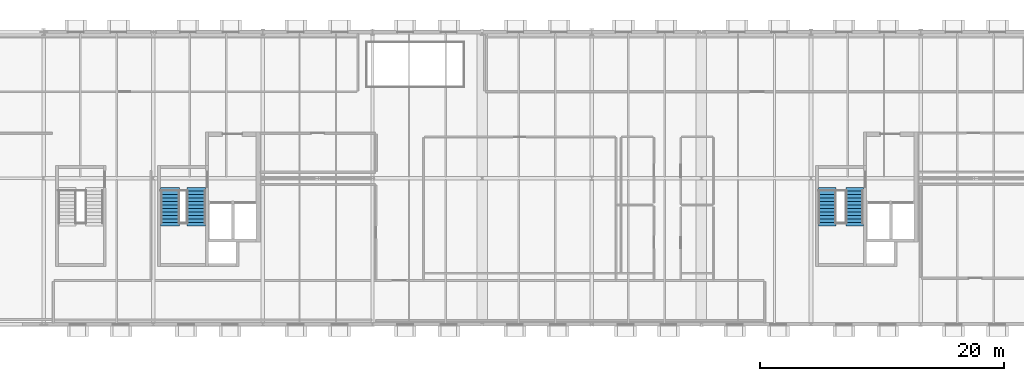
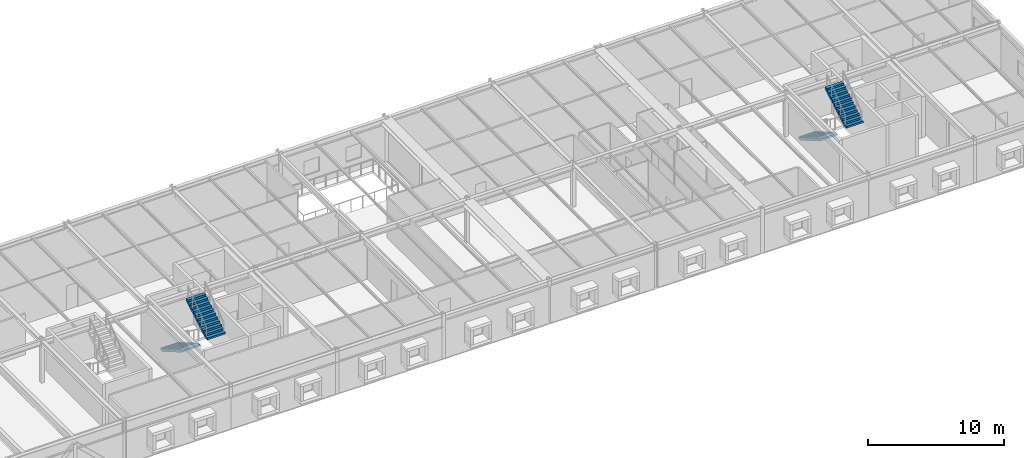
# One storey, part 15 of 17: 4 stair flights, 2 elements without a shape of their own.
"""IFC4 building model written with IfcOpenShell, lengths in metres."""

import ifcopenshell
import ifcopenshell.guid

model = None  # the IFC model being written
_history = None  # IfcOwnerHistory: only IFC2X3 demands one
_inside = {}  # id of a spatial element -> (the spatial element, [elements in it])
_under = {}  # id of a project, library or spatial element -> (it, [spatial elements below it])
_declared = {}  # id of a project -> (the project, [libraries it declares])
_typed = {}  # id of a type object -> (the type object, [elements of that type])
_made_of = {}  # id of a material, layer set ... -> (it, [elements and type objects made of it])


def new_model(schema):
    """Start an empty IFC model of exactly this schema.

    Asked for "IFC4X3", IfcOpenShell would pick the latest addendum, in which some entities
    have other attributes; the version numbers below select the first issue.
    IFC2X3 requires an IfcOwnerHistory on every rooted entity: one is made here for all.
    """
    global model, _history
    if schema == "IFC4X3":
        model = ifcopenshell.file(schema_version=(4, 3, 0, 0))
    else:
        model = ifcopenshell.file(schema=schema)
    _inside.clear()
    _under.clear()
    _declared.clear()
    _typed.clear()
    _made_of.clear()
    _history = None
    if model.schema == "IFC2X3":
        org = make("IfcOrganization", Name="unknown")
        user = make(
            "IfcPersonAndOrganization",
            ThePerson=make("IfcPerson", FamilyName="unknown"),
            TheOrganization=org,
        )
        app = make(
            "IfcApplication",
            ApplicationDeveloper=org,
            Version="unknown",
            ApplicationFullName="unknown",
            ApplicationIdentifier="unknown",
        )
        _history = make(
            "IfcOwnerHistory",
            OwningUser=user,
            OwningApplication=app,
            ChangeAction="ADDED",
            CreationDate=0,
        )
    return model


def make(cls, **values):
    """One entity of the class cls with the attributes given. An attribute that is None is left unset."""
    return model.create_entity(
        cls, **{name: value for name, value in values.items() if value is not None}
    )


def rooted(cls, **values):
    """An entity with a GlobalId (a new one), such as an element, a storey or a relation."""
    return make(cls, GlobalId=ifcopenshell.guid.new(), OwnerHistory=_history, **values)


def si_unit(unit_type, name, prefix=None):
    """IfcSIUnit, for example si_unit("LENGTHUNIT", "METRE", prefix="MILLI")."""
    return make("IfcSIUnit", UnitType=unit_type, Prefix=prefix, Name=name)


def assignment(units):
    """IfcUnitAssignment: the units of a project."""
    return None if units is None else make("IfcUnitAssignment", Units=units)


def point(xyz):
    """IfcCartesianPoint."""
    return None if xyz is None else make("IfcCartesianPoint", Coordinates=xyz)


def direction(xyz):
    """IfcDirection."""
    return None if xyz is None else make("IfcDirection", DirectionRatios=xyz)


def frame(location, z_axis=None, x_axis=None):
    """IfcAxis2Placement3D, a coordinate frame: its origin and axes. An axis left out is left unset."""
    return make(
        "IfcAxis2Placement3D",
        Location=point(location),
        Axis=direction(z_axis),
        RefDirection=direction(x_axis),
    )


def origin():
    """The frame at (0, 0, 0) with its axes left unset."""
    return frame((0.0, 0.0, 0.0))


def place(relative_to, where):
    """IfcLocalPlacement: puts the frame where relative to a parent placement (None: the world)."""
    return make(
        "IfcLocalPlacement", PlacementRelTo=relative_to, RelativePlacement=where
    )


def context(
    kind, dimensions, precision=None, world=None, true_north=None, identifier=None
):
    """IfcGeometricRepresentationContext, for example the 3D "Model" context."""
    return make(
        "IfcGeometricRepresentationContext",
        ContextIdentifier=identifier,
        ContextType=kind,
        CoordinateSpaceDimension=dimensions,
        Precision=precision,
        WorldCoordinateSystem=world,
        TrueNorth=true_north,
    )


def subcontext(parent, identifier, kind, view, scale=None):
    """IfcGeometricRepresentationSubContext, for example "Body" below "Model"."""
    return make(
        "IfcGeometricRepresentationSubContext",
        ContextIdentifier=identifier,
        ContextType=kind,
        ParentContext=parent,
        TargetScale=scale,
        TargetView=view,
    )


def project(units=None, contexts=None):
    """IfcProject with its units and contexts."""
    return rooted(
        "IfcProject",
        Name="project",
        RepresentationContexts=contexts,
        UnitsInContext=assignment(units),
    )


def spatial(cls, under=None, at=None, **own):
    """A site, building, storey or space (cls), placed at a placement, below another one or the project."""
    s = rooted(cls, ObjectPlacement=at, **own)
    if under is not None:
        _under.setdefault(under.id(), (under, []))[1].append(s)
    return s


def polyline(points):
    """IfcPolyline through the points."""
    return make("IfcPolyline", Points=[point(p) for p in points])


def outline(outer, holes=None, kind="AREA"):
    """IfcArbitraryClosedProfileDef: a profile drawn as a closed curve; with holes, ...WithVoids."""
    if holes is None:
        return make("IfcArbitraryClosedProfileDef", ProfileType=kind, OuterCurve=outer)
    return make(
        "IfcArbitraryProfileDefWithVoids",
        ProfileType=kind,
        OuterCurve=outer,
        InnerCurves=holes,
    )


def extrude(swept, where, along, depth):
    """IfcExtrudedAreaSolid: the profile swept, set in the frame where, extruded along a direction by depth."""
    return make(
        "IfcExtrudedAreaSolid",
        SweptArea=swept,
        Position=where,
        ExtrudedDirection=direction(along),
        Depth=depth,
    )


def shape(context_of_items, identifier, shape_type, items):
    """IfcShapeRepresentation: the items that make up one representation, for example the "Body"."""
    return make(
        "IfcShapeRepresentation",
        ContextOfItems=context_of_items,
        RepresentationIdentifier=identifier,
        RepresentationType=shape_type,
        Items=items,
    )


def material(Name=None, Category=None):
    """IfcMaterial."""
    return make("IfcMaterial", Name=Name, Category=Category)


def made_of(thing, what):
    """Note that an element or type object is made of a material, layer set ...; save() writes the relation."""
    if what is not None:
        _made_of.setdefault(what.id(), (what, []))[1].append(thing)
    return thing


def type_object(cls, material=None, **own):
    """A type object (cls), such as IfcWallType, which elements share."""
    return made_of(rooted(cls, **own), material)


def element(
    cls,
    number,
    at=None,
    inside=None,
    cuts=None,
    type_object=None,
    material=None,
    context=None,
    identifier="Body",
    shape_type=None,
    held_by="IfcProductDefinitionShape",
    body=None,
    shapes=None,
    **own,
):
    """One element of the class cls, such as IfcWall. Its Tag is "e" and its number.

    at: its placement. inside: the storey or other place that contains it. cuts: it is an
    opening in that element (IfcRelVoidsElement). A single representation is given by context,
    identifier, shape_type and body (its items); several are given by shapes. held_by: the class
    of the entity that holds the representations. save() writes the other relations.
    """
    e = rooted(cls, Tag="e%d" % number, ObjectPlacement=at, **own)
    if body is not None:
        shapes = [shape(context, identifier, shape_type, body)]
    if shapes is not None:
        e.Representation = make(held_by, Representations=shapes)
    if inside is not None:
        _inside.setdefault(inside.id(), (inside, []))[1].append(e)
    if cuts is not None:
        rooted(
            "IfcRelVoidsElement", RelatingBuildingElement=cuts, RelatedOpeningElement=e
        )
    if type_object is not None:
        _typed.setdefault(type_object.id(), (type_object, []))[1].append(e)
    return made_of(e, material)


def aggregate(whole, parts):
    """IfcRelAggregates: a whole, such as a stair, and the parts it consists of."""
    return rooted("IfcRelAggregates", RelatingObject=whole, RelatedObjects=parts)


def save(model, path):
    """Write the relations noted so far, then the file.

    IfcRelAggregates (storeys below a building ...), IfcRelContainedInSpatialStructure (elements
    in a storey), IfcRelDefinesByType, IfcRelAssociatesMaterial and IfcRelDeclares: one each for
    every whole, place, type object, material and project.
    """
    for whole, parts in _under.values():
        aggregate(whole, parts)
    for where, things in _inside.values():
        rooted(
            "IfcRelContainedInSpatialStructure",
            RelatedElements=things,
            RelatingStructure=where,
        )
    for kind, things in _typed.values():
        rooted("IfcRelDefinesByType", RelatedObjects=things, RelatingType=kind)
    for what, things in _made_of.values():
        rooted("IfcRelAssociatesMaterial", RelatedObjects=things, RelatingMaterial=what)
    for by, libraries in _declared.values():
        rooted("IfcRelDeclares", RelatingContext=by, RelatedDefinitions=libraries)
    model.write(path)


model = new_model("IFC4")

# Units and contexts
model_context = context("Model", 3, precision=1e-05, world=origin(), true_north=direction((0.0, 1.0)))
body_context = subcontext(model_context, "Body", "Model", "MODEL_VIEW")
ifc_project = project(units=[si_unit("LENGTHUNIT", "METRE"), si_unit("AREAUNIT", "SQUARE_METRE"), si_unit("VOLUMEUNIT", "CUBIC_METRE"), si_unit("PLANEANGLEUNIT", "RADIAN"), si_unit("MASSUNIT", "GRAM", prefix="KILO")], contexts=[model_context])

# Site, building, storey
site_placement = place(None, origin())
site = spatial("IfcSite", under=ifc_project, at=site_placement, CompositionType="ELEMENT")
building_placement = place(site_placement, origin())
building = spatial("IfcBuilding", under=site, at=building_placement, Name="Montelvaro Courts of Justice", CompositionType="ELEMENT")
storey_placement = place(building_placement, frame((0.0, 0.0, 31.39990234375)))
storey = spatial("IfcBuildingStorey", under=building, at=storey_placement, Name="L07", CompositionType="ELEMENT", Elevation=31.39990234375)

# Stair, stair flights
ifc_material = material(Name="Concrete C35/45", Category="concrete")
stair_type_1 = type_object("IfcStairType", Name="ProtectedStair_145", PredefinedType="HALF_TURN_STAIR", material=ifc_material)
stair_1_placement = place(storey_placement, origin())
stair_1 = element("IfcStair", 1, at=stair_1_placement, inside=storey, type_object=stair_type_1, Name="Protected Stair ST-K2-L07", PredefinedType="HALF_TURN_STAIR")
stair_flight_type_1 = type_object("IfcStairFlightType", Name="StairFlight_145", PredefinedType="STRAIGHT", material=ifc_material)
stair_flight_1_placement = place(storey_placement, frame((109.324951171875, 11.219970703125, 0.0), z_axis=(0.0, 0.0, 1.0), x_axis=(0.0, -1.0, 0.0)))
stair_flight_1 = element("IfcStairFlight", 2, at=stair_flight_1_placement, type_object=stair_flight_type_1, Name="ST-K2-L07 flight 1", NumberOfRisers=12, NumberOfTreads=11, PredefinedType="STRAIGHT", RiserHeight=0.166666667, TreadLength=0.285, context=body_context, shape_type="SweptSolid", body=[
    extrude(outline(polyline([(0.0, 0.0), (0.0, 0.166748046875), (0.284912109375, 0.166748046875), (0.284912109375, 0.333251953125), (0.570068359375, 0.333251953125), (0.570068359375, 0.5), (0.85498046875, 0.5), (0.85498046875, 0.666748046875), (1.139892578125, 0.666748046875), (1.139892578125, 0.833251953125), (1.425048828125, 0.833251953125), (1.425048828125, 1.0), (1.7099609375, 1.0), (1.7099609375, 1.166748046875), (1.9951171875, 1.166748046875), (1.9951171875, 1.333251953125), (2.280029296875, 1.333251953125), (2.280029296875, 1.5), (2.56494140625, 1.5), (2.56494140625, 1.666748046875), (2.85009765625, 1.666748046875), (2.85009765625, 1.833251953125), (3.135009765625, 1.833251953125), (3.135009765625, 2.0), (3.135009765625, 1.648193359375), (0.31689453125, 0.0), (0.0, 0.0)])), frame((0.0, 0.72509765625, 0.0), z_axis=(0.0, -1.0, 0.0), x_axis=(1.0, 0.0, 0.0)), (0.0, 0.0, 1.0), 1.449951171875),
])
stair_flight_2_placement = place(storey_placement, frame((111.574951171875, 8.0849609375, 2.0), z_axis=(0.0, 0.0, 1.0), x_axis=(0.0, 1.0, 0.0)))
stair_flight_2 = element("IfcStairFlight", 3, at=stair_flight_2_placement, type_object=stair_flight_type_1, Name="ST-K2-L07 flight 2", NumberOfRisers=12, NumberOfTreads=11, PredefinedType="STRAIGHT", RiserHeight=0.166666667, TreadLength=0.285, context=body_context, shape_type="SweptSolid", body=[
    extrude(outline(polyline([(0.0, 0.0), (0.0, 0.166748046875), (0.284912109375, 0.166748046875), (0.284912109375, 0.333251953125), (0.570068359375, 0.333251953125), (0.570068359375, 0.5), (0.85498046875, 0.5), (0.85498046875, 0.666748046875), (1.139892578125, 0.666748046875), (1.139892578125, 0.833251953125), (1.425048828125, 0.833251953125), (1.425048828125, 1.0), (1.7099609375, 1.0), (1.7099609375, 1.166748046875), (1.9951171875, 1.166748046875), (1.9951171875, 1.333251953125), (2.280029296875, 1.333251953125), (2.280029296875, 1.5), (2.56494140625, 1.5), (2.56494140625, 1.666748046875), (2.85009765625, 1.666748046875), (2.85009765625, 1.833251953125), (3.135009765625, 1.833251953125), (3.135009765625, 2.0), (3.135009765625, 1.648193359375), (0.31689453125, 0.0), (0.0, 0.0)])), frame((0.0, 0.72509765625, 0.0), z_axis=(0.0, -1.0, 0.0), x_axis=(1.0, 0.0, 0.0)), (0.0, 0.0, 1.0), 1.449951171875),
])
aggregate(stair_1, [stair_flight_1, stair_flight_2])

stair_type_2 = type_object("IfcStairType", Name="ProtectedStair_155", PredefinedType="HALF_TURN_STAIR", material=ifc_material)
stair_2_placement = place(storey_placement, origin())
stair_2 = element("IfcStair", 4, at=stair_2_placement, inside=storey, type_object=stair_type_2, Name="Protected Stair ST-K1-L07", PredefinedType="HALF_TURN_STAIR")
stair_flight_type_2 = type_object("IfcStairFlightType", Name="StairFlight_155", PredefinedType="STRAIGHT", material=ifc_material)
stair_flight_3_placement = place(storey_placement, frame((55.375, 11.219970703125, 0.0), z_axis=(0.0, 0.0, 1.0), x_axis=(0.0, -1.0, 0.0)))
stair_flight_3 = element("IfcStairFlight", 5, at=stair_flight_3_placement, type_object=stair_flight_type_2, Name="ST-K1-L07 flight 1", NumberOfRisers=12, NumberOfTreads=11, PredefinedType="STRAIGHT", RiserHeight=0.166666667, TreadLength=0.285, context=body_context, shape_type="SweptSolid", body=[
    extrude(outline(polyline([(0.0, 0.0), (0.0, 0.166748046875), (0.284912109375, 0.166748046875), (0.284912109375, 0.333251953125), (0.570068359375, 0.333251953125), (0.570068359375, 0.5), (0.85498046875, 0.5), (0.85498046875, 0.666748046875), (1.139892578125, 0.666748046875), (1.139892578125, 0.833251953125), (1.425048828125, 0.833251953125), (1.425048828125, 1.0), (1.7099609375, 1.0), (1.7099609375, 1.166748046875), (1.9951171875, 1.166748046875), (1.9951171875, 1.333251953125), (2.280029296875, 1.333251953125), (2.280029296875, 1.5), (2.56494140625, 1.5), (2.56494140625, 1.666748046875), (2.85009765625, 1.666748046875), (2.85009765625, 1.833251953125), (3.135009765625, 1.833251953125), (3.135009765625, 2.0), (3.135009765625, 1.648193359375), (0.31689453125, 0.0), (0.0, 0.0)])), frame((0.0, 0.77490234375, 0.0), z_axis=(0.0, -1.0, 0.0), x_axis=(1.0, 0.0, 0.0)), (0.0, 0.0, 1.0), 1.550048828125),
])
stair_flight_4_placement = place(storey_placement, frame((57.52490234375, 8.0849609375, 2.0), z_axis=(0.0, 0.0, 1.0), x_axis=(0.0, 1.0, 0.0)))
stair_flight_4 = element("IfcStairFlight", 6, at=stair_flight_4_placement, type_object=stair_flight_type_2, Name="ST-K1-L07 flight 2", NumberOfRisers=12, NumberOfTreads=11, PredefinedType="STRAIGHT", RiserHeight=0.166666667, TreadLength=0.285, context=body_context, shape_type="SweptSolid", body=[
    extrude(outline(polyline([(0.0, 0.0), (0.0, 0.166748046875), (0.284912109375, 0.166748046875), (0.284912109375, 0.333251953125), (0.570068359375, 0.333251953125), (0.570068359375, 0.5), (0.85498046875, 0.5), (0.85498046875, 0.666748046875), (1.139892578125, 0.666748046875), (1.139892578125, 0.833251953125), (1.425048828125, 0.833251953125), (1.425048828125, 1.0), (1.7099609375, 1.0), (1.7099609375, 1.166748046875), (1.9951171875, 1.166748046875), (1.9951171875, 1.333251953125), (2.280029296875, 1.333251953125), (2.280029296875, 1.5), (2.56494140625, 1.5), (2.56494140625, 1.666748046875), (2.85009765625, 1.666748046875), (2.85009765625, 1.833251953125), (3.135009765625, 1.833251953125), (3.135009765625, 2.0), (3.135009765625, 1.648193359375), (0.31689453125, 0.0), (0.0, 0.0)])), frame((0.0, 0.77490234375, 0.0), z_axis=(0.0, -1.0, 0.0), x_axis=(1.0, 0.0, 0.0)), (0.0, 0.0, 1.0), 1.550048828125),
])
aggregate(stair_2, [stair_flight_3, stair_flight_4])

save(model, "model.ifc")
